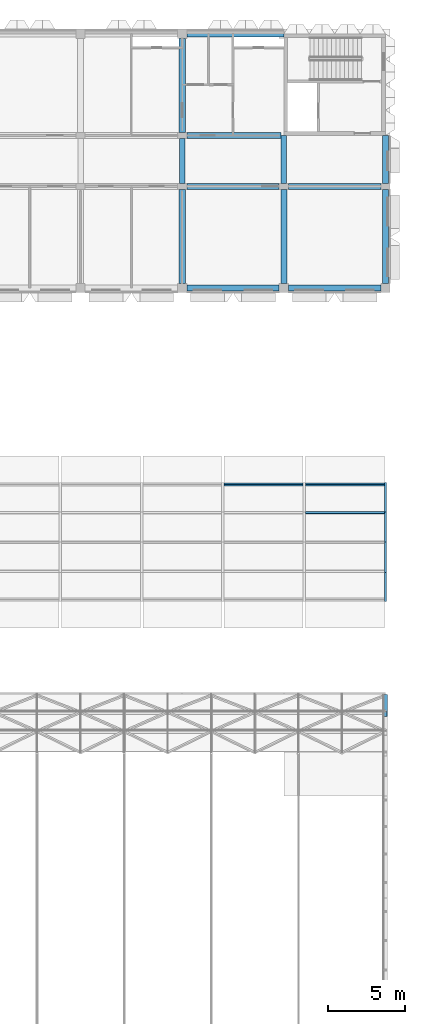
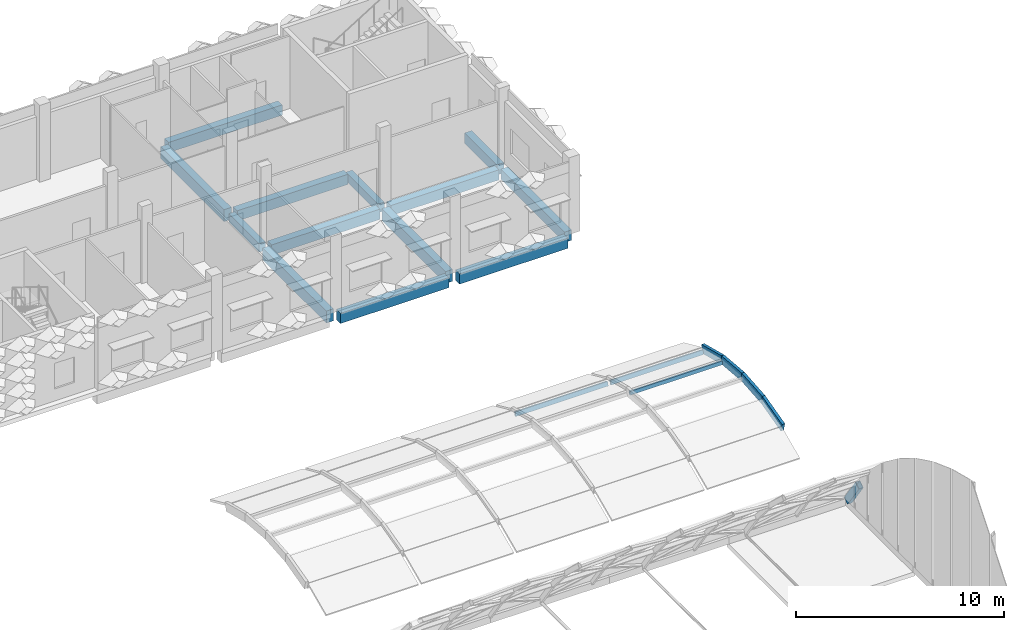
# One storey, part 40 of 109: 13 beams, 8 members.
"""IFC4 building model written with IfcOpenShell, lengths in metres."""

import ifcopenshell
import ifcopenshell.guid

model = None  # the IFC model being written
_history = None  # IfcOwnerHistory: only IFC2X3 demands one
_inside = {}  # id of a spatial element -> (the spatial element, [elements in it])
_under = {}  # id of a project, library or spatial element -> (it, [spatial elements below it])
_declared = {}  # id of a project -> (the project, [libraries it declares])
_typed = {}  # id of a type object -> (the type object, [elements of that type])
_made_of = {}  # id of a material, layer set ... -> (it, [elements and type objects made of it])


def new_model(schema):
    """Start an empty IFC model of exactly this schema.

    Asked for "IFC4X3", IfcOpenShell would pick the latest addendum, in which some entities
    have other attributes; the version numbers below select the first issue.
    IFC2X3 requires an IfcOwnerHistory on every rooted entity: one is made here for all.
    """
    global model, _history
    if schema == "IFC4X3":
        model = ifcopenshell.file(schema_version=(4, 3, 0, 0))
    else:
        model = ifcopenshell.file(schema=schema)
    _inside.clear()
    _under.clear()
    _declared.clear()
    _typed.clear()
    _made_of.clear()
    _history = None
    if model.schema == "IFC2X3":
        org = make("IfcOrganization", Name="unknown")
        user = make(
            "IfcPersonAndOrganization",
            ThePerson=make("IfcPerson", FamilyName="unknown"),
            TheOrganization=org,
        )
        app = make(
            "IfcApplication",
            ApplicationDeveloper=org,
            Version="unknown",
            ApplicationFullName="unknown",
            ApplicationIdentifier="unknown",
        )
        _history = make(
            "IfcOwnerHistory",
            OwningUser=user,
            OwningApplication=app,
            ChangeAction="ADDED",
            CreationDate=0,
        )
    return model


def make(cls, **values):
    """One entity of the class cls with the attributes given. An attribute that is None is left unset."""
    return model.create_entity(
        cls, **{name: value for name, value in values.items() if value is not None}
    )


def rooted(cls, **values):
    """An entity with a GlobalId (a new one), such as an element, a storey or a relation."""
    return make(cls, GlobalId=ifcopenshell.guid.new(), OwnerHistory=_history, **values)


def si_unit(unit_type, name, prefix=None):
    """IfcSIUnit, for example si_unit("LENGTHUNIT", "METRE", prefix="MILLI")."""
    return make("IfcSIUnit", UnitType=unit_type, Prefix=prefix, Name=name)


def assignment(units):
    """IfcUnitAssignment: the units of a project."""
    return None if units is None else make("IfcUnitAssignment", Units=units)


def point(xyz):
    """IfcCartesianPoint."""
    return None if xyz is None else make("IfcCartesianPoint", Coordinates=xyz)


def direction(xyz):
    """IfcDirection."""
    return None if xyz is None else make("IfcDirection", DirectionRatios=xyz)


def frame(location, z_axis=None, x_axis=None):
    """IfcAxis2Placement3D, a coordinate frame: its origin and axes. An axis left out is left unset."""
    return make(
        "IfcAxis2Placement3D",
        Location=point(location),
        Axis=direction(z_axis),
        RefDirection=direction(x_axis),
    )


def frame_2d(location, x_axis=None):
    """IfcAxis2Placement2D, a coordinate frame in the plane: its origin and x axis."""
    return make(
        "IfcAxis2Placement2D", Location=point(location), RefDirection=direction(x_axis)
    )


def origin():
    """The frame at (0, 0, 0) with its axes left unset."""
    return frame((0.0, 0.0, 0.0))


def origin_2d():
    """The frame at (0, 0) in the plane with its x axis left unset."""
    return frame_2d((0.0, 0.0))


def place(relative_to, where):
    """IfcLocalPlacement: puts the frame where relative to a parent placement (None: the world)."""
    return make(
        "IfcLocalPlacement", PlacementRelTo=relative_to, RelativePlacement=where
    )


def context(
    kind, dimensions, precision=None, world=None, true_north=None, identifier=None
):
    """IfcGeometricRepresentationContext, for example the 3D "Model" context."""
    return make(
        "IfcGeometricRepresentationContext",
        ContextIdentifier=identifier,
        ContextType=kind,
        CoordinateSpaceDimension=dimensions,
        Precision=precision,
        WorldCoordinateSystem=world,
        TrueNorth=true_north,
    )


def subcontext(parent, identifier, kind, view, scale=None):
    """IfcGeometricRepresentationSubContext, for example "Body" below "Model"."""
    return make(
        "IfcGeometricRepresentationSubContext",
        ContextIdentifier=identifier,
        ContextType=kind,
        ParentContext=parent,
        TargetScale=scale,
        TargetView=view,
    )


def project(units=None, contexts=None):
    """IfcProject with its units and contexts."""
    return rooted(
        "IfcProject",
        Name="project",
        RepresentationContexts=contexts,
        UnitsInContext=assignment(units),
    )


def spatial(cls, under=None, at=None, **own):
    """A site, building, storey or space (cls), placed at a placement, below another one or the project."""
    s = rooted(cls, ObjectPlacement=at, **own)
    if under is not None:
        _under.setdefault(under.id(), (under, []))[1].append(s)
    return s


def profile(cls, at=None, kind="AREA", **sizes):
    """A parametric profile (cls). Its sizes go by their IFC names, for example OverallWidth=200.0."""
    return make(cls, ProfileType=kind, Position=at, **sizes)


def rectangle(**sizes):
    """IfcRectangleProfileDef."""
    return profile("IfcRectangleProfileDef", **sizes)


def hollow_rectangle(**sizes):
    """IfcRectangleHollowProfileDef."""
    return profile("IfcRectangleHollowProfileDef", **sizes)


def extrude(swept, where, along, depth):
    """IfcExtrudedAreaSolid: the profile swept, set in the frame where, extruded along a direction by depth."""
    return make(
        "IfcExtrudedAreaSolid",
        SweptArea=swept,
        Position=where,
        ExtrudedDirection=direction(along),
        Depth=depth,
    )


def shape(context_of_items, identifier, shape_type, items):
    """IfcShapeRepresentation: the items that make up one representation, for example the "Body"."""
    return make(
        "IfcShapeRepresentation",
        ContextOfItems=context_of_items,
        RepresentationIdentifier=identifier,
        RepresentationType=shape_type,
        Items=items,
    )


def material(Name=None, Category=None):
    """IfcMaterial."""
    return make("IfcMaterial", Name=Name, Category=Category)


def material_profile(
    of_material, cross_section, Name=None, Category=None, Priority=None
):
    """IfcMaterialProfile: a cross section and its material."""
    return make(
        "IfcMaterialProfile",
        Name=Name,
        Material=of_material,
        Profile=cross_section,
        Priority=Priority,
        Category=Category,
    )


def profile_set(profiles, Name=None, composite=None):
    """IfcMaterialProfileSet."""
    return make(
        "IfcMaterialProfileSet",
        Name=Name,
        MaterialProfiles=profiles,
        CompositeProfile=composite,
    )


def made_of(thing, what):
    """Note that an element or type object is made of a material, layer set ...; save() writes the relation."""
    if what is not None:
        _made_of.setdefault(what.id(), (what, []))[1].append(thing)
    return thing


def type_object(cls, material=None, **own):
    """A type object (cls), such as IfcWallType, which elements share."""
    return made_of(rooted(cls, **own), material)


def element(
    cls,
    number,
    at=None,
    inside=None,
    cuts=None,
    type_object=None,
    material=None,
    context=None,
    identifier="Body",
    shape_type=None,
    held_by="IfcProductDefinitionShape",
    body=None,
    shapes=None,
    **own,
):
    """One element of the class cls, such as IfcWall. Its Tag is "e" and its number.

    at: its placement. inside: the storey or other place that contains it. cuts: it is an
    opening in that element (IfcRelVoidsElement). A single representation is given by context,
    identifier, shape_type and body (its items); several are given by shapes. held_by: the class
    of the entity that holds the representations. save() writes the other relations.
    """
    e = rooted(cls, Tag="e%d" % number, ObjectPlacement=at, **own)
    if body is not None:
        shapes = [shape(context, identifier, shape_type, body)]
    if shapes is not None:
        e.Representation = make(held_by, Representations=shapes)
    if inside is not None:
        _inside.setdefault(inside.id(), (inside, []))[1].append(e)
    if cuts is not None:
        rooted(
            "IfcRelVoidsElement", RelatingBuildingElement=cuts, RelatedOpeningElement=e
        )
    if type_object is not None:
        _typed.setdefault(type_object.id(), (type_object, []))[1].append(e)
    return made_of(e, material)


def aggregate(whole, parts):
    """IfcRelAggregates: a whole, such as a stair, and the parts it consists of."""
    return rooted("IfcRelAggregates", RelatingObject=whole, RelatedObjects=parts)


def save(model, path):
    """Write the relations noted so far, then the file.

    IfcRelAggregates (storeys below a building ...), IfcRelContainedInSpatialStructure (elements
    in a storey), IfcRelDefinesByType, IfcRelAssociatesMaterial and IfcRelDeclares: one each for
    every whole, place, type object, material and project.
    """
    for whole, parts in _under.values():
        aggregate(whole, parts)
    for where, things in _inside.values():
        rooted(
            "IfcRelContainedInSpatialStructure",
            RelatedElements=things,
            RelatingStructure=where,
        )
    for kind, things in _typed.values():
        rooted("IfcRelDefinesByType", RelatedObjects=things, RelatingType=kind)
    for what, things in _made_of.values():
        rooted("IfcRelAssociatesMaterial", RelatedObjects=things, RelatingMaterial=what)
    for by, libraries in _declared.values():
        rooted("IfcRelDeclares", RelatingContext=by, RelatedDefinitions=libraries)
    model.write(path)


model = new_model("IFC4")

# Units and contexts
model_context = context("Model", 3, precision=1e-05, world=origin(), true_north=direction((0.0, 1.0)))
body_context = subcontext(model_context, "Body", "Model", "MODEL_VIEW")
ifc_project = project(units=[si_unit("LENGTHUNIT", "METRE"), si_unit("AREAUNIT", "SQUARE_METRE"), si_unit("VOLUMEUNIT", "CUBIC_METRE"), si_unit("PLANEANGLEUNIT", "RADIAN"), si_unit("MASSUNIT", "GRAM", prefix="KILO")], contexts=[model_context])

# Site, building, storey
site_placement = place(None, origin())
site = spatial("IfcSite", under=ifc_project, at=site_placement, CompositionType="ELEMENT")
building_placement = place(site_placement, origin())
building = spatial("IfcBuilding", under=site, at=building_placement, Name="Lantern Court Research Institute", CompositionType="ELEMENT")
storey_placement = place(building_placement, frame((0.0, 0.0, 14.39990234375)))
storey = spatial("IfcBuildingStorey", under=building, at=storey_placement, Name="L03", CompositionType="ELEMENT", Elevation=14.39990234375)

# Members
ifc_material_1 = material(Name="Structural steel S355", Category="steel")
ifc_material_profile_1 = material_profile(ifc_material_1, hollow_rectangle(XDim=0.25, YDim=0.39990234375, WallThickness=0.01611328125, at=origin_2d()), Name="Gable arch RHS 400 x 250 x 16")
ifc_profile_set_1 = profile_set([ifc_material_profile_1], Name="Structural steel S355")
member_type_1 = type_object("IfcMemberType", Name="Gable arch RHS 400 x 250 x 16", PredefinedType="RAFTER", material=ifc_profile_set_1)
member_1_placement = place(storey_placement, frame((79.199951171875, 54.84033203125, 1.839599609375), z_axis=(0.0, 0.576249781335, -0.817273631969), x_axis=(-1.0, 0.0, 0.0)))
element("IfcMember", 1, at=member_1_placement, inside=storey, type_object=member_type_1, Name="Gable arch", PredefinedType="RAFTER", context=body_context, shape_type="SweptSolid", body=[
    extrude(hollow_rectangle(XDim=0.25, YDim=0.39990234375, WallThickness=0.01611328125, at=origin_2d()), origin(), (0.0, 0.0, 1.0), 1.90234375),
])
ifc_material_2 = material(Name="Glued laminated timber GL28h", Category="wood")
ifc_material_profile_2 = material_profile(ifc_material_2, rectangle(XDim=0.1201171875, YDim=0.199951171875, at=origin_2d()), Name="Glulam crown purlin 120 x 200")
ifc_profile_set_2 = profile_set([ifc_material_profile_2], Name="Glued laminated timber GL28h")
member_type_2 = type_object("IfcMemberType", Name="Glulam crown purlin 120 x 200", PredefinedType="PURLIN", material=ifc_profile_set_2)
member_2_placement = place(storey_placement, frame((74.0, 67.90087890625, 1.119140625), z_axis=(1.0, 0.0, 0.0), x_axis=(0.0, 0.9857479333, -0.168229046229)))
element("IfcMember", 2, at=member_2_placement, inside=storey, type_object=member_type_2, Name="Glulam purlin", PredefinedType="PURLIN", context=body_context, shape_type="SweptSolid", body=[
    extrude(rectangle(XDim=0.1201171875, YDim=0.199951171875, at=origin_2d()), origin(), (0.0, 0.0, 1.0), 5.1201171875),
])
ifc_material_3 = material(Name="Glued laminated timber GL28h", Category="wood")
ifc_material_profile_3 = material_profile(ifc_material_3, rectangle(XDim=0.159912109375, YDim=0.47998046875, at=origin_2d()), Name="Glulam crown rib 160 x 480")
ifc_profile_set_3 = profile_set([ifc_material_profile_3], Name="Glued laminated timber GL28h")
member_type_3 = type_object("IfcMemberType", Name="Glulam crown rib 160 x 480", PredefinedType="RAFTER", material=ifc_profile_set_3)
member_3_placement = place(storey_placement, frame((79.199951171875, 62.193115234375, 0.747802734375), z_axis=(0.0, 0.968012518935, 0.250901899527), x_axis=(-1.0, 0.0, 0.0)))
element("IfcMember", 3, at=member_3_placement, inside=storey, type_object=member_type_3, Name="Glulam rib", PredefinedType="RAFTER", context=body_context, shape_type="SweptSolid", body=[
    extrude(rectangle(XDim=0.159912109375, YDim=0.47998046875, at=origin_2d()), origin(), (0.0, 0.0, 1.0), 1.968505859375),
])
for number, where, z_axis, x_axis, name in (
    (4, (79.199951171875, 64.05859375, 1.23486328125), (0.0, 0.996438025427, 0.084328295867), (-1.0, 0.0, 0.0), "Glulam rib"),
    (5, (79.199951171875, 65.979736328125, 1.40087890625), (0.0, 0.996438025427, -0.084328295867), (-1.0, 0.0, 0.0), "Glulam rib"),
):
    element("IfcMember", number, at=place(storey_placement, frame(where, z_axis=z_axis, x_axis=x_axis)), inside=storey, type_object=member_type_3, Name=name, PredefinedType="RAFTER", context=body_context, shape_type="SweptSolid", body=[
        extrude(rectangle(XDim=0.159912109375, YDim=0.47998046875, at=origin_2d()), origin(), (0.0, 0.0, 1.0), 1.96875),
    ])
member_4_placement = place(storey_placement, frame((79.199951171875, 67.9013671875, 1.24169921875), z_axis=(0.0, 0.968012518935, -0.250901899527), x_axis=(-1.0, 0.0, 0.0)))
element("IfcMember", 6, at=member_4_placement, inside=storey, type_object=member_type_3, Name="Glulam rib", PredefinedType="RAFTER", context=body_context, shape_type="SweptSolid", body=[
    extrude(rectangle(XDim=0.159912109375, YDim=0.47998046875, at=origin_2d()), origin(), (0.0, 0.0, 1.0), 1.968505859375),
])
ifc_material_4 = material(Name="Glued laminated timber GL28h", Category="wood")
ifc_material_profile_4 = material_profile(ifc_material_4, rectangle(XDim=0.1201171875, YDim=0.239990234375, at=origin_2d()), Name="Glulam purlin 120 x 240")
ifc_profile_set_4 = profile_set([ifc_material_profile_4], Name="Glued laminated timber GL28h")
member_type_4 = type_object("IfcMemberType", Name="Glulam purlin 120 x 240", PredefinedType="PURLIN", material=ifc_profile_set_4)
for number, where, z_axis, x_axis, name in (
    (7, (68.719970703125, 69.7412109375, 0.62158203125), (1.0, 0.0, 0.0), (0.0, 0.943397976009, -0.331662869283), "Glulam purlin"),
    (8, (74.0, 69.7412109375, 0.62158203125), (1.0, 0.0, 0.0), (0.0, 0.943397976009, -0.331662869283), "Glulam purlin"),
):
    element("IfcMember", number, at=place(storey_placement, frame(where, z_axis=z_axis, x_axis=x_axis)), inside=storey, type_object=member_type_4, Name=name, PredefinedType="PURLIN", context=body_context, shape_type="SweptSolid", body=[
        extrude(rectangle(XDim=0.1201171875, YDim=0.239990234375, at=origin_2d()), origin(), (0.0, 0.0, 1.0), 5.1201171875),
    ])

# Beams
ifc_material_5 = material(Name="Concrete C40/50", Category="concrete")
ifc_material_profile_5 = material_profile(ifc_material_5, rectangle(XDim=0.39990234375, YDim=0.60009765625, at=origin_2d()), Name="RC beam 400 x 600")
ifc_profile_set_5 = profile_set([ifc_material_profile_5], Name="Concrete C40/50")
beam_type_1 = type_object("IfcBeamType", Name="RC beam 400 x 600", PredefinedType="BEAM", material=ifc_profile_set_5)
for number, where, z_axis, x_axis, name in (
    (9, (66.300048828125, 89.10009765625, -0.5498046875), (1.0, 0.0, 0.0), (0.0, 1.0, 0.0), "Beam L03 grid K/11-12"),
    (10, (72.89990234375, 89.10009765625, -0.5498046875), (1.0, 0.0, 0.0), (0.0, 1.0, 0.0), "Beam L03 grid K/12-13"),
):
    element("IfcBeam", number, at=place(storey_placement, frame(where, z_axis=z_axis, x_axis=x_axis)), inside=storey, type_object=beam_type_1, Name=name, PredefinedType="BEAM", context=body_context, shape_type="SweptSolid", body=[
        extrude(rectangle(XDim=0.39990234375, YDim=0.60009765625, at=origin_2d()), origin(), (0.0, 0.0, 1.0), 6.0),
    ])
beam_1_placement = place(storey_placement, frame((66.300048828125, 92.39990234375, -0.5498046875), z_axis=(1.0, 0.0, 0.0), x_axis=(0.0, 1.0, 0.0)))
element("IfcBeam", 11, at=beam_1_placement, inside=storey, type_object=beam_type_1, Name="Beam L03 grid L/11-12", PredefinedType="BEAM", context=body_context, shape_type="SweptSolid", body=[
    extrude(rectangle(XDim=0.39990234375, YDim=0.60009765625, at=origin_2d()), origin(), (0.0, 0.0, 1.0), 6.125),
])
ifc_material_6 = material(Name="Concrete C40/50", Category="concrete")
ifc_material_profile_6 = material_profile(ifc_material_6, rectangle(XDim=0.39990234375, YDim=0.699951171875, at=origin_2d()), Name="RC beam 400 x 700")
ifc_profile_set_6 = profile_set([ifc_material_profile_6], Name="Concrete C40/50")
beam_type_2 = type_object("IfcBeamType", Name="RC beam 400 x 700", PredefinedType="BEAM", material=ifc_profile_set_6)
for number, where, z_axis, x_axis, name in (
    (12, (66.0, 82.800048828125, -0.599853515625), (0.0, 1.0, 0.0), (-1.0, 0.0, 0.0), "Beam L03 grid 11/J-K"),
    (13, (66.0, 92.60009765625, -0.599853515625), (0.0, 1.0, 0.0), (-1.0, 0.0, 0.0), "Beam L03 grid 11/L-M"),
    (14, (72.60009765625, 82.800048828125, -0.599853515625), (0.0, 1.0, 0.0), (-1.0, 0.0, 0.0), "Beam L03 grid 12/J-K"),
):
    element("IfcBeam", number, at=place(storey_placement, frame(where, z_axis=z_axis, x_axis=x_axis)), inside=storey, type_object=beam_type_2, Name=name, PredefinedType="BEAM", context=body_context, shape_type="SweptSolid", body=[
        extrude(rectangle(XDim=0.39990234375, YDim=0.699951171875, at=origin_2d()), origin(), (0.0, 0.0, 1.0), 6.099853515625),
    ])
ifc_material_7 = material(Name="Concrete C40/50", Category="concrete")
ifc_material_profile_7 = material_profile(ifc_material_7, rectangle(XDim=0.39990234375, YDim=0.60009765625, at=origin_2d()), Name="RC beam 400 x 600")
ifc_profile_set_7 = profile_set([ifc_material_profile_7], Name="Concrete C40/50")
beam_type_3 = type_object("IfcBeamType", Name="RC edge beam 400 x 600", PredefinedType="BEAM", material=ifc_profile_set_7)
beam_2_placement = place(storey_placement, frame((79.199951171875, 82.800048828125, -0.5498046875), z_axis=(0.0, 1.0, 0.0), x_axis=(-1.0, 0.0, 0.0)))
element("IfcBeam", 15, at=beam_2_placement, inside=storey, type_object=beam_type_3, Name="Edge beam L03 grid 13/J-K", PredefinedType="BEAM", context=body_context, shape_type="SweptSolid", body=[
    extrude(rectangle(XDim=0.39990234375, YDim=0.60009765625, at=origin_2d()), origin(), (0.0, 0.0, 1.0), 6.099853515625),
])
beam_3_placement = place(storey_placement, frame((79.199951171875, 89.300048828125, -0.5498046875), z_axis=(0.0, 1.0, 0.0), x_axis=(-1.0, 0.0, 0.0)))
element("IfcBeam", 16, at=beam_3_placement, inside=storey, type_object=beam_type_3, Name="Edge beam L03 grid 13/K-L", PredefinedType="BEAM", context=body_context, shape_type="SweptSolid", body=[
    extrude(rectangle(XDim=0.39990234375, YDim=0.60009765625, at=origin_2d()), origin(), (0.0, 0.0, 1.0), 3.099853515625),
])
for number, where, z_axis, x_axis, name in (
    (17, (66.300048828125, 82.5, -0.5498046875), (1.0, 0.0, 0.0), (0.0, 1.0, 0.0), "Edge beam L03 grid J/11-12"),
    (18, (72.89990234375, 82.5, -0.5498046875), (1.0, 0.0, 0.0), (0.0, 1.0, 0.0), "Edge beam L03 grid J/12-13"),
):
    element("IfcBeam", number, at=place(storey_placement, frame(where, z_axis=z_axis, x_axis=x_axis)), inside=storey, type_object=beam_type_3, Name=name, PredefinedType="BEAM", context=body_context, shape_type="SweptSolid", body=[
        extrude(rectangle(XDim=0.39990234375, YDim=0.60009765625, at=origin_2d()), origin(), (0.0, 0.0, 1.0), 6.0),
    ])
beam_4_placement = place(storey_placement, frame((66.300048828125, 99.0, -0.5498046875), z_axis=(1.0, 0.0, 0.0), x_axis=(0.0, 1.0, 0.0)))
element("IfcBeam", 19, at=beam_4_placement, inside=storey, type_object=beam_type_3, Name="Edge beam L03 grid M/11-12", PredefinedType="BEAM", context=body_context, shape_type="SweptSolid", body=[
    extrude(rectangle(XDim=0.39990234375, YDim=0.60009765625, at=origin_2d()), origin(), (0.0, 0.0, 1.0), 6.300048828125),
])
ifc_material_8 = material(Name="Concrete C40/50", Category="concrete")
ifc_material_profile_8 = material_profile(ifc_material_8, rectangle(XDim=0.35009765625, YDim=0.5, at=origin_2d()), Name="RC beam 350 x 500")
ifc_profile_set_8 = profile_set([ifc_material_profile_8], Name="Concrete C40/50")
beam_type_4 = type_object("IfcBeamType", Name="RC spine beam 350 x 500", PredefinedType="BEAM", material=ifc_profile_set_8)
beam_5_placement = place(storey_placement, frame((66.0, 89.300048828125, -0.5), z_axis=(0.0, 1.0, 0.0), x_axis=(-1.0, 0.0, 0.0)))
element("IfcBeam", 20, at=beam_5_placement, inside=storey, type_object=beam_type_4, Name="Beam L03 grid 11/K-L", PredefinedType="BEAM", context=body_context, shape_type="SweptSolid", body=[
    extrude(rectangle(XDim=0.35009765625, YDim=0.5, at=origin_2d()), origin(), (0.0, 0.0, 1.0), 2.89990234375),
])
beam_6_placement = place(storey_placement, frame((72.60009765625, 89.300048828125, -0.5), z_axis=(0.0, 1.0, 0.0), x_axis=(-1.0, 0.0, 0.0)))
element("IfcBeam", 21, at=beam_6_placement, inside=storey, type_object=beam_type_4, Name="Beam L03 grid 12/K-L", PredefinedType="BEAM", context=body_context, shape_type="SweptSolid", body=[
    extrude(rectangle(XDim=0.35009765625, YDim=0.5, at=origin_2d()), origin(), (0.0, 0.0, 1.0), 3.099853515625),
])

save(model, "model.ifc")
